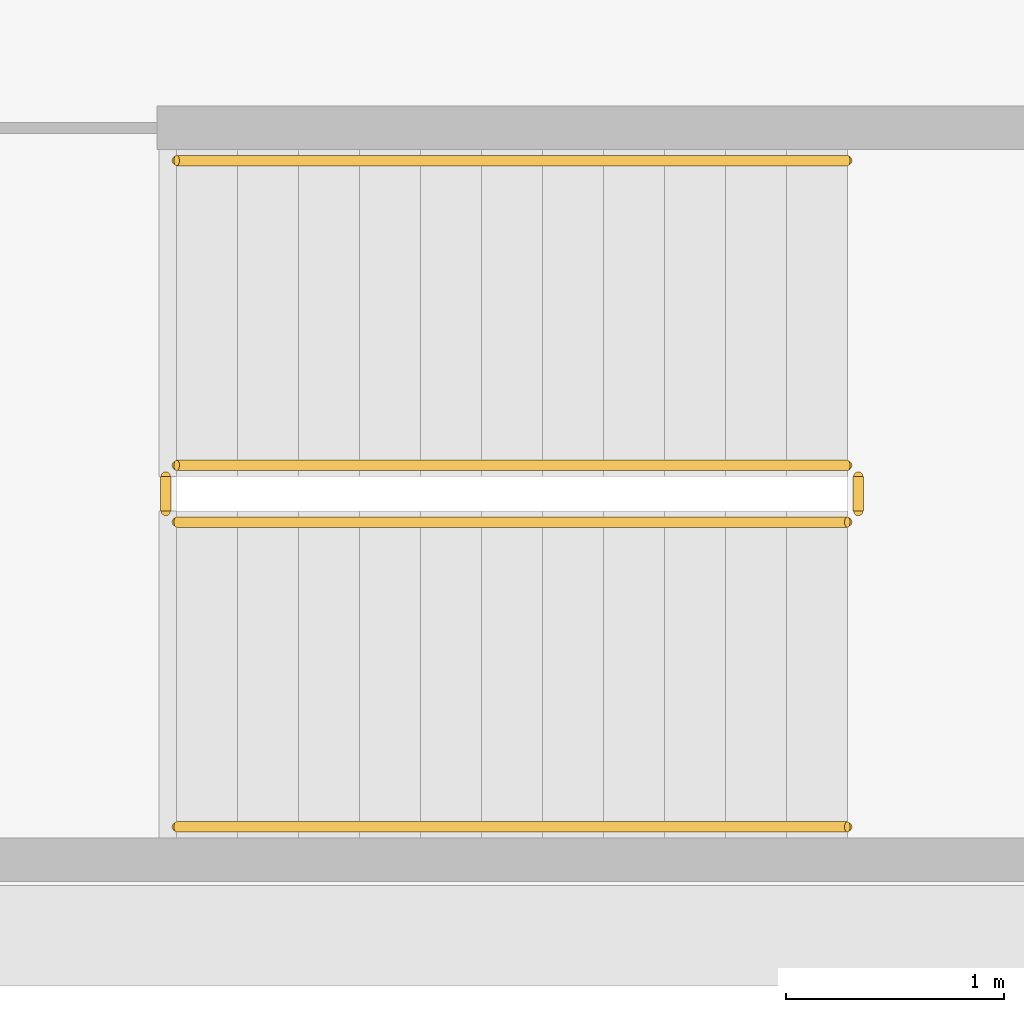
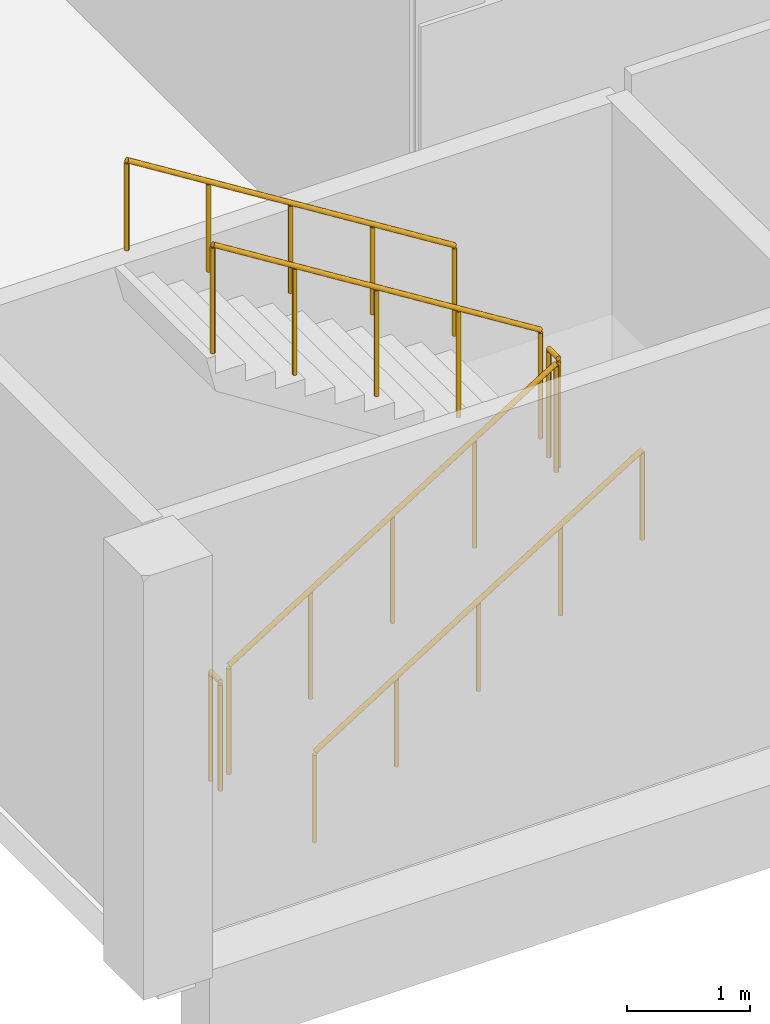
# One storey, part 61 of 69: 6 railings.
"""IFC4 building model written with IfcOpenShell, lengths in metres."""

from ifc_helpers import new_model, si_unit, direction, frame, origin, origin_2d, place, context, subcontext, project, spatial, circle, extrude, material, type_object, element, save


model = new_model("IFC4")

# Units and contexts
model_context = context("Model", 3, precision=1e-05, world=origin(), true_north=direction((0.0, 1.0)))
body_context = subcontext(model_context, "Body", "Model", "MODEL_VIEW")
ifc_project = project(units=[si_unit("LENGTHUNIT", "METRE"), si_unit("AREAUNIT", "SQUARE_METRE"), si_unit("VOLUMEUNIT", "CUBIC_METRE"), si_unit("PLANEANGLEUNIT", "RADIAN"), si_unit("MASSUNIT", "GRAM", prefix="KILO")], contexts=[model_context])

# Site, building, storey
site_placement = place(None, origin())
site = spatial("IfcSite", under=ifc_project, at=site_placement, CompositionType="ELEMENT")
building_placement = place(site_placement, origin())
building = spatial("IfcBuilding", under=site, at=building_placement, Name="Ciguamira Faculty of Natural Sciences", CompositionType="ELEMENT")
storey_placement = place(building_placement, origin())
storey = spatial("IfcBuildingStorey", under=building, at=storey_placement, Name="L00", CompositionType="ELEMENT", Elevation=0.0)

# Railings
ifc_material_1 = material(Name="Stainless steel balustrade", Category="steel")
railing_type_1 = type_object("IfcRailingType", Name="Guardrail_GR01", PredefinedType="GUARDRAIL", material=ifc_material_1)
railing_1_placement = place(storey_placement, frame((59.06005859375, 46.89990234375, 0.175048828125)))
element("IfcRailing", 1, at=railing_1_placement, inside=storey, type_object=railing_type_1, Name="L00 ST-W1 stair guard 1", PredefinedType="GUARDRAIL", context=body_context, shape_type="SweptSolid", body=[
    extrude(circle(Radius=0.02392578125, at=origin_2d()), frame((0.0, 0.0, 1.076171875), z_axis=(0.847979421464, 0.0, 0.530029150871), x_axis=(0.0, 1.0, 0.0)), (0.0, 0.0, 1.0), 3.632080078125),
    extrude(circle(Radius=0.02099609375, at=origin_2d()), origin(), (0.0, 0.0, 1.0), 1.052001953125),
    extrude(circle(Radius=0.02099609375, at=origin_2d()), frame((0.77001953125, 0.0, 0.481201171875)), (0.0, 0.0, 1.0), 1.052001953125),
    extrude(circle(Radius=0.02099609375, at=origin_2d()), frame((1.5400390625, 0.0, 0.96240234375)), (0.0, 0.0, 1.0), 1.052001953125),
    extrude(circle(Radius=0.02099609375, at=origin_2d()), frame((2.309814453125, 0.0, 1.44384765625)), (0.0, 0.0, 1.0), 1.052001953125),
    extrude(circle(Radius=0.02099609375, at=origin_2d()), frame((3.079833984375, 0.0, 1.925048828125)), (0.0, 0.0, 1.0), 1.052001953125),
])
railing_2_placement = place(storey_placement, frame((62.18994140625, 46.949951171875, 2.10009765625)))
element("IfcRailing", 2, at=railing_2_placement, inside=storey, type_object=railing_type_1, Name="L00 ST-W1 stair guard 2", PredefinedType="GUARDRAIL", context=body_context, shape_type="SweptSolid", body=[
    extrude(circle(Radius=0.02392578125, at=origin_2d()), frame((0.0, 0.0, 1.076171875), z_axis=(0.0, 1.0, 0.0), x_axis=(-1.0, 0.0, 0.0)), (0.0, 0.0, 1.0), 0.16015625),
    extrude(circle(Radius=0.02099609375, at=origin_2d()), origin(), (0.0, 0.0, 1.0), 1.052001953125),
    extrude(circle(Radius=0.02099609375, at=origin_2d()), frame((0.0, 0.16015625, 0.0)), (0.0, 0.0, 1.0), 1.052001953125),
])
railing_3_placement = place(storey_placement, frame((62.139892578125, 47.159912109375, 2.27490234375)))
element("IfcRailing", 3, at=railing_3_placement, inside=storey, type_object=railing_type_1, Name="L00 ST-W1 stair guard 3", PredefinedType="GUARDRAIL", context=body_context, shape_type="SweptSolid", body=[
    extrude(circle(Radius=0.02392578125, at=origin_2d()), frame((0.0, 0.0, 1.076171875), z_axis=(-0.847979421464, 0.0, 0.530029150871), x_axis=(0.0, -1.0, 0.0)), (0.0, 0.0, 1.0), 3.632080078125),
    extrude(circle(Radius=0.02099609375, at=origin_2d()), origin(), (0.0, 0.0, 1.0), 1.052001953125),
    extrude(circle(Radius=0.02099609375, at=origin_2d()), frame((-0.77001953125, 0.0, 0.481201171875)), (0.0, 0.0, 1.0), 1.052001953125),
    extrude(circle(Radius=0.02099609375, at=origin_2d()), frame((-1.5400390625, 0.0, 0.96240234375)), (0.0, 0.0, 1.0), 1.052001953125),
    extrude(circle(Radius=0.02099609375, at=origin_2d()), frame((-2.309814453125, 0.0, 1.44384765625)), (0.0, 0.0, 1.0), 1.052001953125),
    extrude(circle(Radius=0.02099609375, at=origin_2d()), frame((-3.079833984375, 0.0, 1.925048828125)), (0.0, 0.0, 1.0), 1.052001953125),
])
railing_4_placement = place(storey_placement, frame((59.010009765625, 46.949951171875, 0.0)))
element("IfcRailing", 4, at=railing_4_placement, inside=storey, type_object=railing_type_1, Name="L00 ST-W1 stair guard 4", PredefinedType="GUARDRAIL", context=body_context, shape_type="SweptSolid", body=[
    extrude(circle(Radius=0.02392578125, at=origin_2d()), frame((0.0, 0.0, 1.076171875), z_axis=(0.0, 1.0, 0.0), x_axis=(-1.0, 0.0, 0.0)), (0.0, 0.0, 1.0), 0.16015625),
    extrude(circle(Radius=0.02099609375, at=origin_2d()), origin(), (0.0, 0.0, 1.0), 1.052001953125),
    extrude(circle(Radius=0.02099609375, at=origin_2d()), frame((0.0, 0.16015625, 0.0)), (0.0, 0.0, 1.0), 1.052001953125),
])
ifc_material_2 = material(Name="Stainless steel handrail", Category="steel")
railing_type_2 = type_object("IfcRailingType", Name="Handrail_HR01", PredefinedType="HANDRAIL", material=ifc_material_2)
railing_5_placement = place(storey_placement, frame((59.06005859375, 45.5, 0.35009765625)))
element("IfcRailing", 5, at=railing_5_placement, inside=storey, type_object=railing_type_2, Name="L00 ST-W1 stair handrail 1", PredefinedType="HANDRAIL", context=body_context, shape_type="SweptSolid", body=[
    extrude(circle(Radius=0.02392578125, at=origin_2d()), frame((0.0, 0.0, 0.89111328125), z_axis=(0.848009633417, 0.0, 0.529980812513), x_axis=(0.0, 1.0, 0.0)), (0.0, 0.0, 1.0), 3.6318359375),
    extrude(circle(Radius=0.02099609375, at=origin_2d()), origin(), (0.0, 0.0, 1.0), 0.866943359375),
    extrude(circle(Radius=0.02099609375, at=origin_2d()), frame((0.77001953125, 0.0, 0.481201171875)), (0.0, 0.0, 1.0), 0.866943359375),
    extrude(circle(Radius=0.02099609375, at=origin_2d()), frame((1.5400390625, 0.0, 0.96240234375)), (0.0, 0.0, 1.0), 0.866943359375),
    extrude(circle(Radius=0.02099609375, at=origin_2d()), frame((2.309814453125, 0.0, 1.443603515625)), (0.0, 0.0, 1.0), 0.866943359375),
    extrude(circle(Radius=0.02099609375, at=origin_2d()), frame((3.079833984375, 0.0, 1.9248046875)), (0.0, 0.0, 1.0), 0.866943359375),
])
railing_6_placement = place(storey_placement, frame((62.139892578125, 48.56005859375, 2.449951171875)))
element("IfcRailing", 6, at=railing_6_placement, inside=storey, type_object=railing_type_2, Name="L00 ST-W1 stair handrail 2", PredefinedType="HANDRAIL", context=body_context, shape_type="SweptSolid", body=[
    extrude(circle(Radius=0.02392578125, at=origin_2d()), frame((0.0, 0.0, 0.89111328125), z_axis=(-0.847979421464, 0.0, 0.530029150871), x_axis=(0.0, -1.0, 0.0)), (0.0, 0.0, 1.0), 3.632080078125),
    extrude(circle(Radius=0.02099609375, at=origin_2d()), origin(), (0.0, 0.0, 1.0), 0.866943359375),
    extrude(circle(Radius=0.02099609375, at=origin_2d()), frame((-0.77001953125, 0.0, 0.481201171875)), (0.0, 0.0, 1.0), 0.866943359375),
    extrude(circle(Radius=0.02099609375, at=origin_2d()), frame((-1.5400390625, 0.0, 0.96240234375)), (0.0, 0.0, 1.0), 0.866943359375),
    extrude(circle(Radius=0.02099609375, at=origin_2d()), frame((-2.309814453125, 0.0, 1.44384765625)), (0.0, 0.0, 1.0), 0.866943359375),
    extrude(circle(Radius=0.02099609375, at=origin_2d()), frame((-3.079833984375, 0.0, 1.925048828125)), (0.0, 0.0, 1.0), 0.866943359375),
])

save(model, "model.ifc")
